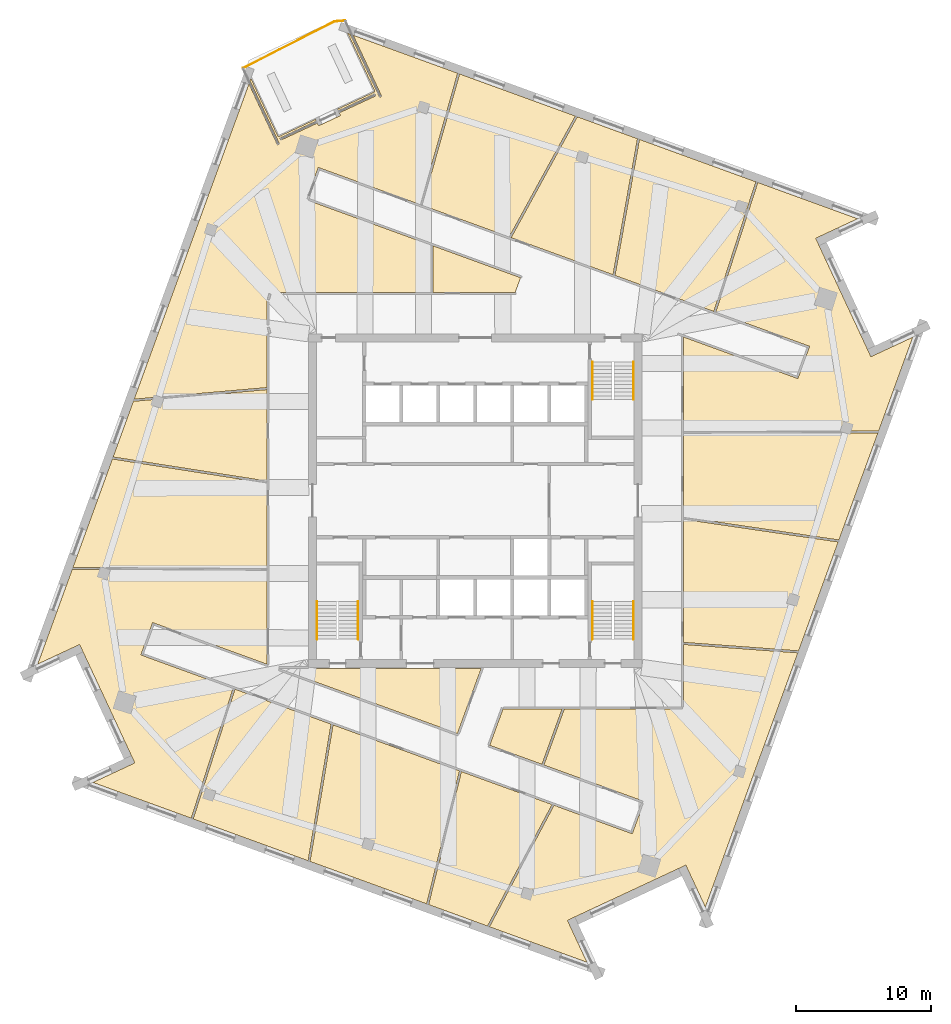
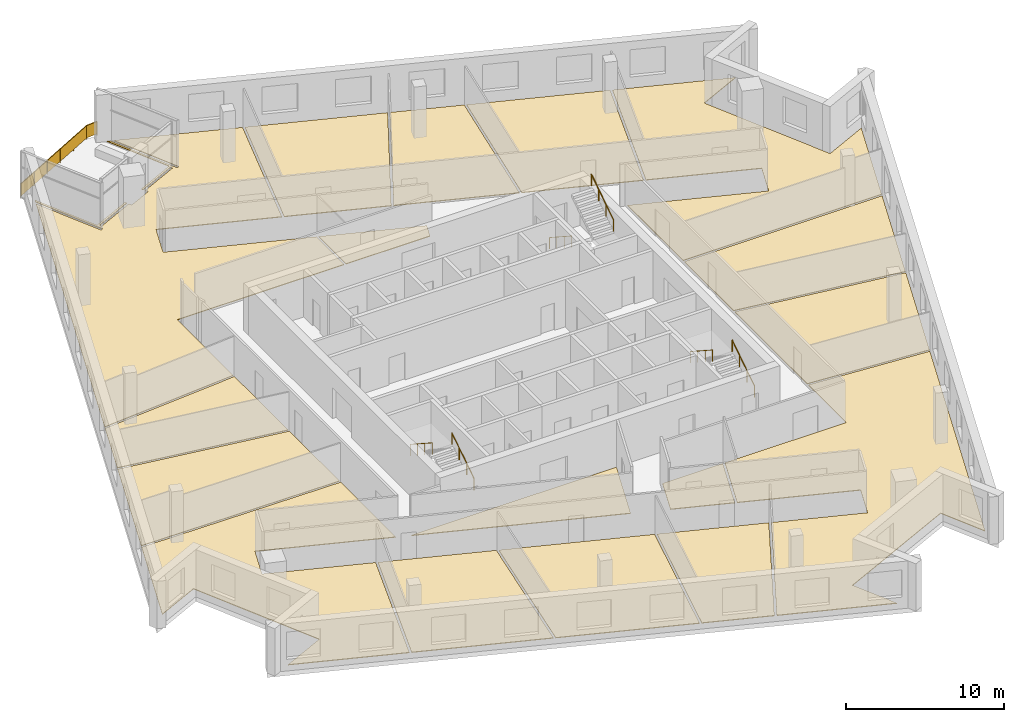
# One storey, part 12 of 13: 17 coverings, 7 railings.
"""IFC4 building model written with IfcOpenShell, lengths in metres."""

from ifc_helpers import new_model, si_unit, direction, frame, origin, origin_2d, place, context, subcontext, project, spatial, polyline, rectangle, circle, outline, extrude, material, layer, layer_set, type_object, element, save


model = new_model("IFC4")

# Units and contexts
model_context = context("Model", 3, precision=1e-05, world=origin(), true_north=direction((0.0, 1.0)))
body_context = subcontext(model_context, "Body", "Model", "MODEL_VIEW")
ifc_project = project(units=[si_unit("LENGTHUNIT", "METRE"), si_unit("AREAUNIT", "SQUARE_METRE"), si_unit("VOLUMEUNIT", "CUBIC_METRE"), si_unit("PLANEANGLEUNIT", "RADIAN"), si_unit("MASSUNIT", "GRAM", prefix="KILO")], contexts=[model_context])

# Site, building, storey
site_placement = place(None, origin())
site = spatial("IfcSite", under=ifc_project, at=site_placement, CompositionType="ELEMENT")
building_placement = place(site_placement, origin())
building = spatial("IfcBuilding", under=site, at=building_placement, Name="Dilmun Exchange Tower", CompositionType="ELEMENT")
storey_placement = place(building_placement, frame((0.0, 0.0, 304.5)))
storey = spatial("IfcBuildingStorey", under=building, at=storey_placement, Name="L72", CompositionType="ELEMENT", Elevation=304.5)

# Coverings
ifc_material_1 = material(Name="Carpet floor finish 50")
ifc_layer_1 = layer(ifc_material_1, 0.050048828125)
ifc_layer_set_1 = layer_set([ifc_layer_1], Name="Carpet floor finish 50")
covering_type_1 = type_object("IfcCoveringType", Name="Carpet floor finish 50", PredefinedType="FLOORING", material=ifc_layer_set_1)
covering_1_placement = place(storey_placement, origin())
element("IfcCovering", 1, at=covering_1_placement, inside=storey, type_object=covering_type_1, Name="Carpet floor finish 50 Co-working hall 1", PredefinedType="FLOORING", context=body_context, shape_type="SweptSolid", body=[
    extrude(outline(polyline([(-15.47509765625, -5.190185546875), (-15.47509765625, -12.161376953125), (-23.97412109375, -9.068115234375), (-24.84619140625, -11.464111328125), (-17.993896484375, -13.958251953125), (-21.103515625, -23.603515625), (-28.412841796875, -20.943359375), (-25.30224609375, -19.492919921875), (-25.302001953125, -19.49267578125), (-25.3017578125, -19.49267578125), (-25.3017578125, -19.492431640625), (-25.301513671875, -19.4921875), (-25.301513671875, -19.4921875), (-25.30126953125, -19.491943359375), (-25.30126953125, -19.491943359375), (-25.301025390625, -19.49169921875), (-25.301025390625, -19.491455078125), (-25.301025390625, -19.4912109375), (-25.301025390625, -19.4912109375), (-25.301025390625, -19.490966796875), (-25.301025390625, -19.49072265625), (-25.301025390625, -19.490478515625), (-25.301025390625, -19.490234375), (-25.30126953125, -19.489990234375), (-25.5546875, -18.9462890625), (-25.554931640625, -18.9462890625), (-25.554931640625, -18.946044921875), (-29.14697265625, -11.242919921875), (-29.14697265625, -11.24267578125), (-29.400634765625, -10.698974609375), (-29.400634765625, -10.69873046875), (-29.40087890625, -10.698486328125), (-29.40087890625, -10.698486328125), (-29.40087890625, -10.6982421875), (-29.401123046875, -10.6982421875), (-29.4013671875, -10.697998046875), (-29.401611328125, -10.697998046875), (-29.401611328125, -10.697998046875), (-29.40185546875, -10.697998046875), (-29.402099609375, -10.69775390625), (-29.40234375, -10.69775390625), (-29.402587890625, -10.69775390625), (-29.402587890625, -10.69775390625), (-29.40283203125, -10.697998046875), (-29.403076171875, -10.697998046875), (-29.4033203125, -10.697998046875), (-32.513916015625, -12.1484375), (-29.94921875, -5.102294921875), (-15.47509765625, -5.190185546875)])), origin(), (0.0, 0.0, 1.0), 0.050048828125),
])
covering_2_placement = place(storey_placement, origin())
element("IfcCovering", 2, at=covering_2_placement, inside=storey, type_object=covering_type_1, Name="Carpet floor finish 50 Members library 1", PredefinedType="FLOORING", context=body_context, shape_type="SweptSolid", body=[
    extrude(outline(polyline([(-15.47509765625, -5.040283203125), (-29.894775390625, -4.95263671875), (-26.965576171875, 3.095458984375), (-15.47509765625, 1.298828125), (-15.47509765625, -5.040283203125)])), origin(), (0.0, 0.0, 1.0), 0.050048828125),
])
covering_3_placement = place(storey_placement, origin())
element("IfcCovering", 3, at=covering_3_placement, inside=storey, type_object=covering_type_1, Name="Carpet floor finish 50 Serviced office 1", PredefinedType="FLOORING", context=body_context, shape_type="SweptSolid", body=[
    extrude(outline(polyline([(-15.47509765625, 8.248779296875), (-15.47509765625, 1.45068359375), (-26.913330078125, 3.239013671875), (-25.4052734375, 7.38232421875), (-15.47509765625, 8.248779296875)])), origin(), (0.0, 0.0, 1.0), 0.050048828125),
])
covering_4_placement = place(storey_placement, origin())
element("IfcCovering", 4, at=covering_4_placement, inside=storey, type_object=covering_type_1, Name="Carpet floor finish 50 Business centre", PredefinedType="FLOORING", context=body_context, shape_type="SweptSolid", body=[
    extrude(outline(polyline([(-12.4208984375, -26.763916015625), (-20.962646484375, -23.65478515625), (-17.852783203125, -14.009521484375), (-10.712890625, -16.6083984375), (-12.4208984375, -26.763916015625)])), origin(), (0.0, 0.0, 1.0), 0.050048828125),
])
covering_5_placement = place(storey_placement, origin())
element("IfcCovering", 5, at=covering_5_placement, inside=storey, type_object=covering_type_1, Name="Carpet floor finish 50 Garden lounge", PredefinedType="FLOORING", context=body_context, shape_type="SweptSolid", body=[
    extrude(outline(polyline([(-15.47509765625, 15.47509765625), (-15.47509765625, 8.399169921875), (-25.3486328125, 7.537841796875), (-16.817138671875, 30.977783203125), (-14.698486328125, 26.434326171875), (-14.698486328125, 26.43408203125), (-14.6982421875, 26.43408203125), (-14.6982421875, 26.433837890625), (-14.697998046875, 26.43359375), (-14.697998046875, 26.43359375), (-14.69775390625, 26.43359375), (-14.697509765625, 26.433349609375), (-14.697509765625, 26.433349609375), (-14.697265625, 26.433349609375), (-14.697021484375, 26.43310546875), (-14.69677734375, 26.43310546875), (-14.696533203125, 26.43310546875), (-14.6962890625, 26.43310546875), (-14.6962890625, 26.43310546875), (-14.696044921875, 26.433349609375), (-14.69580078125, 26.433349609375), (-14.55078125, 26.5009765625), (-14.55078125, 26.501220703125), (-14.550537109375, 26.501220703125), (-14.55029296875, 26.501220703125), (-14.55029296875, 26.50146484375), (-14.550048828125, 26.501708984375), (-14.550048828125, 26.501708984375), (-14.5498046875, 26.501953125), (-14.5498046875, 26.502197265625), (-14.5498046875, 26.502197265625), (-14.5498046875, 26.50244140625), (-14.5498046875, 26.502685546875), (-14.5498046875, 26.5029296875), (-14.5498046875, 26.503173828125), (-14.5498046875, 26.50341796875), (-14.5498046875, 26.50341796875), (-14.5498046875, 26.503662109375), (-16.73779296875, 31.19580078125), (-16.668701171875, 31.3857421875), (-14.64208984375, 27.039794921875), (-11.866943359375, 28.333984375), (-11.806640625, 28.204345703125), (-14.513916015625, 26.94189453125), (-14.513916015625, 26.94189453125), (-14.51416015625, 26.94189453125), (-14.51416015625, 26.941650390625), (-14.514404296875, 26.941650390625), (-14.514404296875, 26.94140625), (-14.5146484375, 26.941162109375), (-14.5146484375, 26.941162109375), (-14.514892578125, 26.94091796875), (-14.514892578125, 26.940673828125), (-14.514892578125, 26.9404296875), (-14.514892578125, 26.940185546875), (-14.514892578125, 26.940185546875), (-14.514892578125, 26.93994140625), (-14.514892578125, 26.939697265625), (-14.514892578125, 26.939453125), (-14.5146484375, 26.939453125), (-14.447021484375, 26.794189453125), (-14.447021484375, 26.794189453125), (-14.447021484375, 26.7939453125), (-14.44677734375, 26.7939453125), (-14.446533203125, 26.793701171875), (-14.446533203125, 26.793701171875), (-14.4462890625, 26.79345703125), (-14.4462890625, 26.79345703125), (-14.446044921875, 26.793212890625), (-14.44580078125, 26.793212890625), (-14.445556640625, 26.793212890625), (-14.4453125, 26.793212890625), (-14.4453125, 26.793212890625), (-14.445068359375, 26.793212890625), (-14.44482421875, 26.793212890625), (-14.444580078125, 26.793212890625), (-14.4443359375, 26.79345703125), (-11.7373046875, 28.0556640625), (-11.64501953125, 27.858154296875), (-11.64501953125, 27.85791015625), (-11.64501953125, 27.85791015625), (-11.644775390625, 27.857666015625), (-11.644775390625, 27.857421875), (-11.64453125, 27.857421875), (-11.644287109375, 27.857421875), (-11.644287109375, 27.857177734375), (-11.64404296875, 27.857177734375), (-11.643798828125, 27.857177734375), (-11.6435546875, 27.85693359375), (-11.643310546875, 27.85693359375), (-11.643310546875, 27.85693359375), (-11.64306640625, 27.85693359375), (-11.642822265625, 27.857177734375), (-11.642578125, 27.857177734375), (-11.642578125, 27.857177734375), (-10.010986328125, 28.617919921875), (-10.010986328125, 28.6181640625), (-10.0107421875, 28.6181640625), (-10.010498046875, 28.618408203125), (-10.010498046875, 28.618408203125), (-10.01025390625, 28.61865234375), (-10.01025390625, 28.618896484375), (-10.010009765625, 28.618896484375), (-10.010009765625, 28.619140625), (-10.010009765625, 28.619384765625), (-10.010009765625, 28.619384765625), (-10.010009765625, 28.61962890625), (-10.010009765625, 28.619873046875), (-10.010009765625, 28.6201171875), (-10.010009765625, 28.620361328125), (-10.010009765625, 28.62060546875), (-10.010009765625, 28.62060546875), (-10.102294921875, 28.818115234375), (-7.39501953125, 30.08056640625), (-7.39501953125, 30.080810546875), (-7.394775390625, 30.080810546875), (-7.39453125, 30.080810546875), (-7.394287109375, 30.0810546875), (-7.394287109375, 30.081298828125), (-7.394287109375, 30.081298828125), (-7.39404296875, 30.08154296875), (-7.39404296875, 30.081787109375), (-7.39404296875, 30.081787109375), (-7.393798828125, 30.08203125), (-7.393798828125, 30.082275390625), (-7.393798828125, 30.08251953125), (-7.393798828125, 30.082763671875), (-7.393798828125, 30.0830078125), (-7.39404296875, 30.0830078125), (-7.39404296875, 30.083251953125), (-7.461669921875, 30.228271484375), (-7.4619140625, 30.228515625), (-7.4619140625, 30.228515625), (-7.4619140625, 30.228759765625), (-7.462158203125, 30.22900390625), (-7.46240234375, 30.22900390625), (-7.46240234375, 30.22900390625), (-7.462646484375, 30.229248046875), (-7.462890625, 30.229248046875), (-7.462890625, 30.229248046875), (-7.463134765625, 30.2294921875), (-7.46337890625, 30.2294921875), (-7.463623046875, 30.2294921875), (-7.4638671875, 30.2294921875), (-7.464111328125, 30.229248046875), (-7.464111328125, 30.229248046875), (-7.46435546875, 30.229248046875), (-10.17138671875, 28.966796875), (-10.23193359375, 29.096435546875), (-7.456787109375, 30.390380859375), (-9.4833984375, 34.736328125), (-9.293212890625, 34.667236328125), (-7.105224609375, 29.97509765625), (-7.105224609375, 29.97509765625), (-7.10498046875, 29.974853515625), (-7.10498046875, 29.974609375), (-7.10498046875, 29.974609375), (-7.104736328125, 29.974365234375), (-7.1044921875, 29.974365234375), (-7.1044921875, 29.97412109375), (-7.104248046875, 29.97412109375), (-7.10400390625, 29.97412109375), (-7.103759765625, 29.97412109375), (-7.103515625, 29.97412109375), (-7.103515625, 29.97412109375), (-7.103271484375, 29.97412109375), (-7.10302734375, 29.97412109375), (-7.102783203125, 29.97412109375), (-7.102783203125, 29.97412109375), (-6.957763671875, 30.041748046875), (-6.95751953125, 30.0419921875), (-6.957275390625, 30.0419921875), (-6.957275390625, 30.0419921875), (-6.95703125, 30.042236328125), (-6.956787109375, 30.04248046875), (-6.956787109375, 30.04248046875), (-6.956787109375, 30.042724609375), (-6.95654296875, 30.04296875), (-6.95654296875, 30.043212890625), (-6.95654296875, 30.043212890625), (-6.95654296875, 30.04345703125), (-6.95654296875, 30.043701171875), (-6.95654296875, 30.0439453125), (-6.95654296875, 30.044189453125), (-6.95654296875, 30.044189453125), (-6.956787109375, 30.04443359375), (-9.0751953125, 34.587890625), (-1.306396484375, 31.76025390625), (-4.082275390625, 21.993408203125), (-11.664306640625, 24.7529296875), (-12.536376953125, 22.356689453125), (-3.30029296875, 18.9951171875), (-3.30029296875, 15.47509765625), (-15.47509765625, 15.47509765625)])), origin(), (0.0, 0.0, 1.0), 0.050048828125),
])
covering_6_placement = place(storey_placement, origin())
element("IfcCovering", 6, at=covering_6_placement, inside=storey, type_object=covering_type_1, Name="Carpet floor finish 50 Members library 2", PredefinedType="FLOORING", context=body_context, shape_type="SweptSolid", body=[
    extrude(outline(polyline([(-1.170166015625, -20.08154296875), (-3.611083984375, -29.970458984375), (-12.277587890625, -26.81591796875), (-10.569580078125, -16.660400390625), (-1.170166015625, -20.08154296875)])), origin(), (0.0, 0.0, 1.0), 0.050048828125),
])
covering_7_placement = place(storey_placement, origin())
element("IfcCovering", 7, at=covering_7_placement, inside=storey, type_object=covering_type_1, Name="Carpet floor finish 50 Serviced office 2", PredefinedType="FLOORING", context=body_context, shape_type="SweptSolid", body=[
    extrude(outline(polyline([(5.7119140625, -22.58642578125), (0.910400390625, -31.615966796875), (-3.46923828125, -30.02197265625), (-1.0283203125, -20.13330078125), (5.7119140625, -22.58642578125)])), origin(), (0.0, 0.0, 1.0), 0.050048828125),
])
covering_8_placement = place(storey_placement, origin())
element("IfcCovering", 8, at=covering_8_placement, inside=storey, type_object=covering_type_1, Name="Carpet floor finish 50 Serviced office 3", PredefinedType="FLOORING", context=body_context, shape_type="SweptSolid", body=[
    extrude(outline(polyline([(-1.1650390625, 31.708740234375), (7.440185546875, 28.57666015625), (2.52197265625, 19.589599609375), (-3.94091796875, 21.94189453125), (-1.1650390625, 31.708740234375)])), origin(), (0.0, 0.0, 1.0), 0.050048828125),
])
covering_9_placement = place(storey_placement, origin())
element("IfcCovering", 9, at=covering_9_placement, inside=storey, type_object=covering_type_1, Name="Carpet floor finish 50 Members lounge", PredefinedType="FLOORING", context=body_context, shape_type="SweptSolid", body=[
    extrude(outline(polyline([(5.8544921875, -22.63818359375), (11.664306640625, -24.7529296875), (12.536376953125, -22.356689453125), (5.098388671875, -19.6494140625), (6.617919921875, -15.47509765625), (15.47509765625, -15.47509765625), (15.47509765625, -10.68603515625), (23.97509765625, -11.31201171875), (17.09814453125, -30.205810546875), (15.647705078125, -27.09521484375), (15.647705078125, -27.094970703125), (15.6474609375, -27.0947265625), (15.6474609375, -27.0947265625), (15.647216796875, -27.094482421875), (15.647216796875, -27.094482421875), (15.64697265625, -27.09423828125), (15.646728515625, -27.09423828125), (15.646484375, -27.093994140625), (15.646484375, -27.093994140625), (15.646240234375, -27.093994140625), (15.64599609375, -27.093994140625), (15.645751953125, -27.093994140625), (15.6455078125, -27.093994140625), (15.6455078125, -27.093994140625), (15.645263671875, -27.093994140625), (15.64501953125, -27.09423828125), (15.101318359375, -27.34765625), (15.101318359375, -27.34765625), (15.101318359375, -27.347900390625), (7.397705078125, -30.93994140625), (7.3974609375, -30.940185546875), (7.397216796875, -30.940185546875), (7.397216796875, -30.940185546875), (6.85400390625, -31.193603515625), (6.853759765625, -31.193603515625), (6.853515625, -31.19384765625), (6.853515625, -31.19384765625), (6.853271484375, -31.194091796875), (6.85302734375, -31.194091796875), (6.85302734375, -31.1943359375), (6.852783203125, -31.194580078125), (6.852783203125, -31.194580078125), (6.852783203125, -31.19482421875), (6.852783203125, -31.195068359375), (6.852783203125, -31.1953125), (6.852783203125, -31.195556640625), (6.852783203125, -31.19580078125), (6.852783203125, -31.19580078125), (6.852783203125, -31.196044921875), (6.852783203125, -31.1962890625), (8.303466796875, -34.306884765625), (1.052490234375, -31.667724609375), (5.8544921875, -22.63818359375)])), origin(), (0.0, 0.0, 1.0), 0.050048828125),
])
covering_10_placement = place(storey_placement, origin())
element("IfcCovering", 10, at=covering_10_placement, inside=storey, type_object=covering_type_1, Name="Carpet floor finish 50 Serviced office 4", PredefinedType="FLOORING", context=body_context, shape_type="SweptSolid", body=[
    extrude(outline(polyline([(10.383056640625, 16.728271484375), (12.201171875, 26.843994140625), (20.85498046875, 23.694091796875), (17.7294921875, 14.054443359375), (10.383056640625, 16.728271484375)])), origin(), (0.0, 0.0, 1.0), 0.050048828125),
])
covering_11_placement = place(storey_placement, origin())
element("IfcCovering", 11, at=covering_11_placement, inside=storey, type_object=covering_type_1, Name="Carpet floor finish 50 Meeting room", PredefinedType="FLOORING", context=body_context, shape_type="SweptSolid", body=[
    extrude(outline(polyline([(15.47509765625, -1.3837890625), (26.974609375, -3.0703125), (24.0283203125, -11.165283203125), (15.47509765625, -10.53564453125), (15.47509765625, -1.3837890625)])), origin(), (0.0, 0.0, 1.0), 0.050048828125),
])
covering_12_placement = place(storey_placement, origin())
element("IfcCovering", 12, at=covering_12_placement, inside=storey, type_object=covering_type_1, Name="Carpet floor finish 50 Members library 3", PredefinedType="FLOORING", context=body_context, shape_type="SweptSolid", body=[
    extrude(outline(polyline([(29.92431640625, 5.0341796875), (27.027099609375, -2.92626953125), (15.47509765625, -1.232177734375), (15.47509765625, 4.993896484375), (29.92431640625, 5.0341796875)])), origin(), (0.0, 0.0, 1.0), 0.050048828125),
])
covering_13_placement = place(storey_placement, origin())
element("IfcCovering", 13, at=covering_13_placement, inside=storey, type_object=covering_type_1, Name="Carpet floor finish 50 Co-working hall 2", PredefinedType="FLOORING", context=body_context, shape_type="SweptSolid", body=[
    extrude(outline(polyline([(15.47509765625, 5.14404296875), (15.47509765625, 12.161376953125), (23.97412109375, 9.068115234375), (24.84619140625, 11.464111328125), (17.87060546875, 14.003173828125), (20.99609375, 23.642578125), (28.412841796875, 20.943359375), (25.30224609375, 19.492919921875), (25.302001953125, 19.49267578125), (25.3017578125, 19.49267578125), (25.3017578125, 19.492431640625), (25.301513671875, 19.4921875), (25.301513671875, 19.4921875), (25.30126953125, 19.491943359375), (25.30126953125, 19.491943359375), (25.301025390625, 19.49169921875), (25.301025390625, 19.491455078125), (25.301025390625, 19.4912109375), (25.301025390625, 19.4912109375), (25.301025390625, 19.490966796875), (25.301025390625, 19.49072265625), (25.301025390625, 19.490478515625), (25.301025390625, 19.490234375), (25.30126953125, 19.489990234375), (25.5546875, 18.9462890625), (25.554931640625, 18.9462890625), (25.554931640625, 18.946044921875), (29.14697265625, 11.242919921875), (29.14697265625, 11.24267578125), (29.400634765625, 10.698974609375), (29.400634765625, 10.69873046875), (29.40087890625, 10.698486328125), (29.40087890625, 10.698486328125), (29.40087890625, 10.6982421875), (29.401123046875, 10.6982421875), (29.4013671875, 10.697998046875), (29.401611328125, 10.697998046875), (29.401611328125, 10.697998046875), (29.40185546875, 10.697998046875), (29.402099609375, 10.69775390625), (29.40234375, 10.69775390625), (29.402587890625, 10.69775390625), (29.402587890625, 10.69775390625), (29.40283203125, 10.697998046875), (29.403076171875, 10.697998046875), (29.4033203125, 10.697998046875), (32.513916015625, 12.1484375), (29.97900390625, 5.18408203125), (15.47509765625, 5.14404296875)])), origin(), (0.0, 0.0, 1.0), 0.050048828125),
])

# Railings
ifc_material_2 = material(Name="Stainless steel", Category="steel")
railing_type_1 = type_object("IfcRailingType", Name="Stair handrail 900", PredefinedType="HANDRAIL", material=ifc_material_2)
railing_1_placement = place(storey_placement, frame((8.699951171875, 10.300048828125, 0.181884765625)))
element("IfcRailing", 14, at=railing_1_placement, inside=storey, type_object=railing_type_1, Name="L72 ST1 stair handrail 1", PredefinedType="HANDRAIL", context=body_context, shape_type="SweptSolid", body=[
    extrude(circle(Radius=0.02392578125, at=origin_2d()), frame((0.0, 0.0, 0.8759765625), z_axis=(0.0, -0.838705829183, 0.544584733623), x_axis=(1.0, 0.0, 0.0)), (0.0, 0.0, 1.0), 3.338623046875),
    extrude(circle(Radius=0.02099609375, at=origin_2d()), origin(), (0.0, 0.0, 1.0), 0.851806640625),
    extrude(circle(Radius=0.02099609375, at=origin_2d()), frame((0.0, -0.933349609375, 0.60595703125)), (0.0, 0.0, 1.0), 0.851806640625),
    extrude(circle(Radius=0.02099609375, at=origin_2d()), frame((0.0, -1.86669921875, 1.212158203125)), (0.0, 0.0, 1.0), 0.851806640625),
    extrude(circle(Radius=0.02099609375, at=origin_2d()), frame((0.0, -2.800048828125, 1.818115234375)), (0.0, 0.0, 1.0), 0.851806640625),
])
for number, where, name in (
    (15, (11.75, 7.5, 2.181884765625), "L72 ST1 stair handrail 2"),
    (16, (-8.699951171875, -10.300048828125, 0.181884765625), "L72 ST2 stair handrail 1"),
):
    element("IfcRailing", number, at=place(storey_placement, frame(where)), inside=storey, type_object=railing_type_1, Name=name, PredefinedType="HANDRAIL", context=body_context, shape_type="SweptSolid", body=[
        extrude(circle(Radius=0.02392578125, at=origin_2d()), frame((0.0, 0.0, 0.8759765625), z_axis=(0.0, 0.838705829183, 0.544584733623), x_axis=(-1.0, 0.0, 0.0)), (0.0, 0.0, 1.0), 3.338623046875),
        extrude(circle(Radius=0.02099609375, at=origin_2d()), origin(), (0.0, 0.0, 1.0), 0.851806640625),
        extrude(circle(Radius=0.02099609375, at=origin_2d()), frame((0.0, 0.933349609375, 0.60595703125)), (0.0, 0.0, 1.0), 0.851806640625),
        extrude(circle(Radius=0.02099609375, at=origin_2d()), frame((0.0, 1.86669921875, 1.212158203125)), (0.0, 0.0, 1.0), 0.851806640625),
        extrude(circle(Radius=0.02099609375, at=origin_2d()), frame((0.0, 2.800048828125, 1.818115234375)), (0.0, 0.0, 1.0), 0.851806640625),
    ])
railing_2_placement = place(storey_placement, frame((-11.75, -7.5, 2.181884765625)))
element("IfcRailing", 17, at=railing_2_placement, inside=storey, type_object=railing_type_1, Name="L72 ST2 stair handrail 2", PredefinedType="HANDRAIL", context=body_context, shape_type="SweptSolid", body=[
    extrude(circle(Radius=0.02392578125, at=origin_2d()), frame((0.0, 0.0, 0.8759765625), z_axis=(0.0, -0.838705829183, 0.544584733623), x_axis=(1.0, 0.0, 0.0)), (0.0, 0.0, 1.0), 3.338623046875),
    extrude(circle(Radius=0.02099609375, at=origin_2d()), origin(), (0.0, 0.0, 1.0), 0.851806640625),
    extrude(circle(Radius=0.02099609375, at=origin_2d()), frame((0.0, -0.933349609375, 0.60595703125)), (0.0, 0.0, 1.0), 0.851806640625),
    extrude(circle(Radius=0.02099609375, at=origin_2d()), frame((0.0, -1.86669921875, 1.212158203125)), (0.0, 0.0, 1.0), 0.851806640625),
    extrude(circle(Radius=0.02099609375, at=origin_2d()), frame((0.0, -2.800048828125, 1.818115234375)), (0.0, 0.0, 1.0), 0.851806640625),
])
railing_3_placement = place(storey_placement, frame((11.75, -10.300048828125, 0.181884765625)))
element("IfcRailing", 18, at=railing_3_placement, inside=storey, type_object=railing_type_1, Name="L72 ST3 stair handrail 1", PredefinedType="HANDRAIL", context=body_context, shape_type="SweptSolid", body=[
    extrude(circle(Radius=0.02392578125, at=origin_2d()), frame((0.0, 0.0, 0.8759765625), z_axis=(0.0, 0.838705829183, 0.544584733623), x_axis=(-1.0, 0.0, 0.0)), (0.0, 0.0, 1.0), 3.338623046875),
    extrude(circle(Radius=0.02099609375, at=origin_2d()), origin(), (0.0, 0.0, 1.0), 0.851806640625),
    extrude(circle(Radius=0.02099609375, at=origin_2d()), frame((0.0, 0.933349609375, 0.60595703125)), (0.0, 0.0, 1.0), 0.851806640625),
    extrude(circle(Radius=0.02099609375, at=origin_2d()), frame((0.0, 1.86669921875, 1.212158203125)), (0.0, 0.0, 1.0), 0.851806640625),
    extrude(circle(Radius=0.02099609375, at=origin_2d()), frame((0.0, 2.800048828125, 1.818115234375)), (0.0, 0.0, 1.0), 0.851806640625),
])
railing_4_placement = place(storey_placement, frame((8.699951171875, -7.5, 2.181884765625)))
element("IfcRailing", 19, at=railing_4_placement, inside=storey, type_object=railing_type_1, Name="L72 ST3 stair handrail 2", PredefinedType="HANDRAIL", context=body_context, shape_type="SweptSolid", body=[
    extrude(circle(Radius=0.02392578125, at=origin_2d()), frame((0.0, 0.0, 0.8759765625), z_axis=(0.0, -0.838705829183, 0.544584733623), x_axis=(1.0, 0.0, 0.0)), (0.0, 0.0, 1.0), 3.338623046875),
    extrude(circle(Radius=0.02099609375, at=origin_2d()), origin(), (0.0, 0.0, 1.0), 0.851806640625),
    extrude(circle(Radius=0.02099609375, at=origin_2d()), frame((0.0, -0.933349609375, 0.60595703125)), (0.0, 0.0, 1.0), 0.851806640625),
    extrude(circle(Radius=0.02099609375, at=origin_2d()), frame((0.0, -1.86669921875, 1.212158203125)), (0.0, 0.0, 1.0), 0.851806640625),
    extrude(circle(Radius=0.02099609375, at=origin_2d()), frame((0.0, -2.800048828125, 1.818115234375)), (0.0, 0.0, 1.0), 0.851806640625),
])

# Covering
ifc_material_3 = material(Name="Stone floor finish 50", Category="masonry")
ifc_layer_2 = layer(ifc_material_3, 0.050048828125)
ifc_layer_set_2 = layer_set([ifc_layer_2], Name="Stone floor finish 50")
covering_type_2 = type_object("IfcCoveringType", Name="Stone floor finish 50", PredefinedType="FLOORING", material=ifc_layer_set_2)
covering_14_placement = place(storey_placement, origin())
element("IfcCovering", 20, at=covering_14_placement, inside=storey, type_object=covering_type_2, Name="Stone floor finish 50 Reception", PredefinedType="FLOORING", context=body_context, shape_type="SweptSolid", body=[
    extrude(outline(polyline([(2.66455078125, 19.53759765625), (7.582763671875, 28.52490234375), (12.05810546875, 26.89599609375), (10.239990234375, 16.780517578125), (2.66455078125, 19.53759765625)])), origin(), (0.0, 0.0, 1.0), 0.050048828125),
])

# Railing
railing_type_2 = type_object("IfcRailingType", Name="Terrace guard 1100 stainless steel", PredefinedType="GUARDRAIL", material=ifc_material_2)
railing_5_placement = place(storey_placement, frame((-17.26416015625, 32.130126953125, 0.0)))
element("IfcRailing", 21, at=railing_5_placement, inside=storey, type_object=railing_type_2, Name="Terrace guard 1", PredefinedType="GUARDRAIL", context=body_context, shape_type="SweptSolid", body=[
    extrude(circle(Radius=0.02392578125, at=origin_2d()), frame((0.0, 0.0, 1.076171875), z_axis=(0.89044821025, 0.455084590887, 0.0), x_axis=(-0.455084590887, 0.89044821025, 0.0)), (0.0, 0.0, 1.0), 7.63818359375),
    extrude(rectangle(XDim=0.011962890625, YDim=0.951904296875, at=origin_2d()), frame((0.0, 0.0, 0.576171875), z_axis=(0.89044821025, 0.455084590887, 0.0), x_axis=(-0.455084590887, 0.89044821025, 0.0)), (0.0, 0.0, 1.0), 7.63818359375),
    extrude(circle(Radius=0.02392578125, at=origin_2d()), frame((6.801513671875, 3.47607421875, 1.076171875), z_axis=(0.996678000504, 0.081443006517, 0.0), x_axis=(-0.081443006517, 0.996678000504, 0.0)), (0.0, 0.0, 1.0), 0.79443359375),
    extrude(rectangle(XDim=0.011962890625, YDim=0.951904296875, at=origin_2d()), frame((6.801513671875, 3.47607421875, 0.576171875), z_axis=(0.996678000504, 0.081443006517, 0.0), x_axis=(-0.081443006517, 0.996678000504, 0.0)), (0.0, 0.0, 1.0), 0.79443359375),
    extrude(circle(Radius=0.02099609375, at=origin_2d()), origin(), (0.0, 0.0, 1.0), 1.052001953125),
    extrude(circle(Radius=0.02099609375, at=origin_2d()), frame((1.3603515625, 0.6953125, 0.0)), (0.0, 0.0, 1.0), 1.052001953125),
    extrude(circle(Radius=0.02099609375, at=origin_2d()), frame((2.720703125, 1.390380859375, 0.0)), (0.0, 0.0, 1.0), 1.052001953125),
    extrude(circle(Radius=0.02099609375, at=origin_2d()), frame((4.080810546875, 2.085693359375, 0.0)), (0.0, 0.0, 1.0), 1.052001953125),
    extrude(circle(Radius=0.02099609375, at=origin_2d()), frame((5.441162109375, 2.78076171875, 0.0)), (0.0, 0.0, 1.0), 1.052001953125),
    extrude(circle(Radius=0.02099609375, at=origin_2d()), frame((6.801513671875, 3.47607421875, 0.0)), (0.0, 0.0, 1.0), 1.052001953125),
    extrude(circle(Radius=0.02099609375, at=origin_2d()), frame((7.59326171875, 3.540771484375, 0.0)), (0.0, 0.0, 1.0), 1.052001953125),
])

# Coverings
ifc_material_4 = material(Name="Tile floor finish 50")
ifc_layer_3 = layer(ifc_material_4, 0.050048828125)
ifc_layer_set_3 = layer_set([ifc_layer_3], Name="Tile floor finish 50")
covering_type_3 = type_object("IfcCoveringType", Name="Tile floor finish 50", PredefinedType="FLOORING", material=ifc_layer_set_3)
covering_15_placement = place(storey_placement, origin())
element("IfcCovering", 22, at=covering_15_placement, inside=storey, type_object=covering_type_3, Name="Tile floor finish 50 Pantry 1", PredefinedType="FLOORING", context=body_context, shape_type="SweptSolid", body=[
    extrude(outline(polyline([(0.439208984375, -12.47509765625), (-1.32177734375, -17.312744140625), (-14.519287109375, -12.50927734375), (-14.513427734375, -12.47509765625), (0.439208984375, -12.47509765625)])), origin(), (0.0, 0.0, 1.0), 0.050048828125),
])
covering_16_placement = place(storey_placement, origin())
element("IfcCovering", 23, at=covering_16_placement, inside=storey, type_object=covering_type_3, Name="Tile floor finish 50 Pantry 2", PredefinedType="FLOORING", context=body_context, shape_type="SweptSolid", body=[
    extrude(outline(polyline([(2.970947265625, 15.47509765625), (-3.150390625, 15.47509765625), (-3.150390625, 18.9404296875), (3.36865234375, 16.567626953125), (2.970947265625, 15.47509765625)])), origin(), (0.0, 0.0, 1.0), 0.050048828125),
])
covering_17_placement = place(storey_placement, origin())
element("IfcCovering", 24, at=covering_17_placement, inside=storey, type_object=covering_type_3, Name="Tile floor finish 50 Pantry 3", PredefinedType="FLOORING", context=body_context, shape_type="SweptSolid", body=[
    extrude(outline(polyline([(4.95751953125, -19.59814453125), (1.074462890625, -18.184814453125), (2.060791015625, -15.47509765625), (6.458251953125, -15.47509765625), (4.95751953125, -19.59814453125)])), origin(), (0.0, 0.0, 1.0), 0.050048828125),
])

save(model, "model.ifc")
